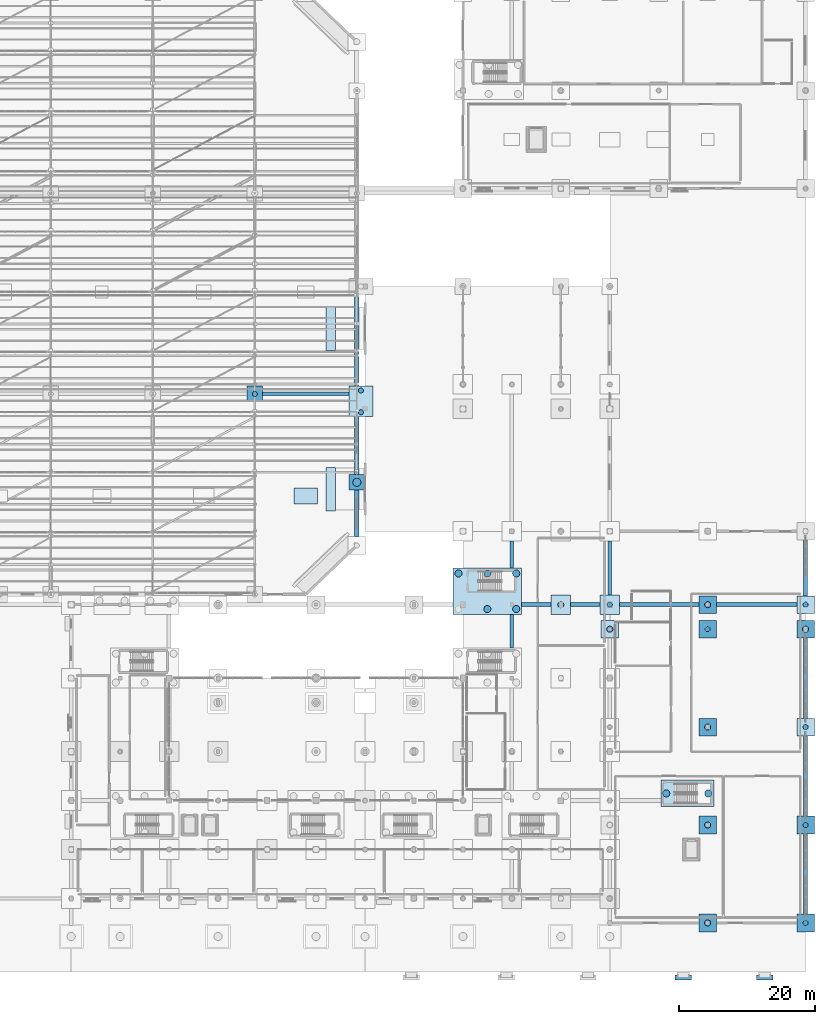
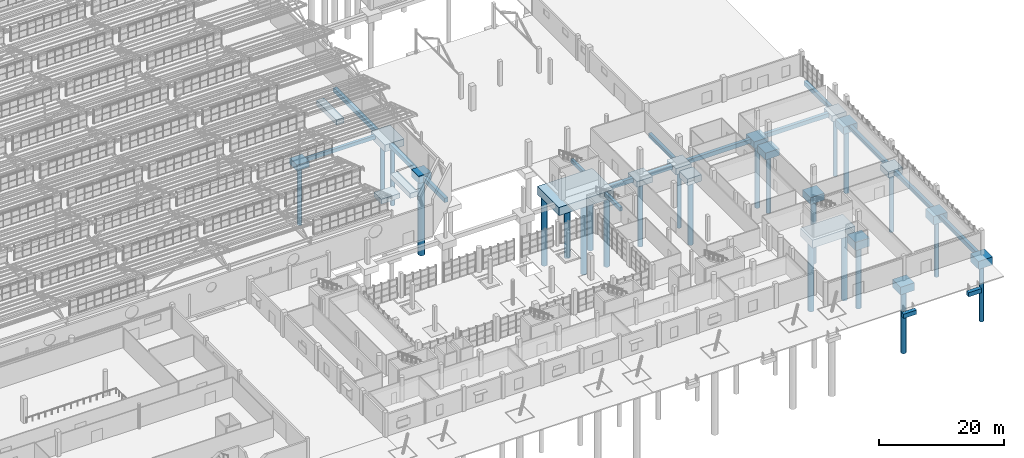
# One storey, part 8 of 285: 38 footings, 24 piles.
"""IFC4 building model written with IfcOpenShell, lengths in metres."""

from ifc_helpers import new_model, si_unit, direction, frame, origin, origin_2d, place, context, subcontext, project, spatial, polyline, circle, outline, extrude, material, material_profile, profile_set, type_object, element, save


model = new_model("IFC4")

# Units and contexts
model_context = context("Model", 3, precision=1e-05, world=origin(), true_north=direction((0.0, 1.0)))
body_context = subcontext(model_context, "Body", "Model", "MODEL_VIEW")
ifc_project = project(units=[si_unit("LENGTHUNIT", "METRE"), si_unit("AREAUNIT", "SQUARE_METRE"), si_unit("VOLUMEUNIT", "CUBIC_METRE"), si_unit("PLANEANGLEUNIT", "RADIAN"), si_unit("MASSUNIT", "GRAM", prefix="KILO")], contexts=[model_context])

# Site, building, storey
site_placement = place(None, origin())
site = spatial("IfcSite", under=ifc_project, at=site_placement, CompositionType="ELEMENT")
building_placement = place(site_placement, origin())
building = spatial("IfcBuilding", under=site, at=building_placement, Name="Solanera Park Tramway Depot", CompositionType="ELEMENT")
storey_placement = place(building_placement, origin())
storey = spatial("IfcBuildingStorey", under=building, at=storey_placement, Name="L00", CompositionType="ELEMENT", Elevation=0.0)

# Footings
ifc_material_1 = material(Name="Concrete N40 (C40/50)", Category="concrete")
footing_type_1 = type_object("IfcFootingType", Name="Bored Pile Cap PC-03 2900x2900x1100", PredefinedType="PILE_CAP", material=ifc_material_1)
footing_1_placement = place(storey_placement, frame((0.0, 0.0, -1.449951171875)))
element("IfcFooting", 1, at=footing_1_placement, inside=storey, type_object=footing_type_1, Name="Pile Cap PC-03 #110", PredefinedType="PILE_CAP", context=body_context, shape_type="SweptSolid", body=[
    extrude(outline(polyline([(181.449951171875, 52.550048828125), (181.449951171875, 55.449951171875), (178.550048828125, 55.449951171875), (178.550048828125, 52.550048828125), (181.449951171875, 52.550048828125)])), origin(), (0.0, 0.0, 1.0), 1.099853515625),
])
ifc_material_2 = material(Name="Concrete N40 (C40/50)", Category="concrete")
footing_type_2 = type_object("IfcFootingType", Name="Bored Pile Cap PC-04 3200x3200x1200", PredefinedType="PILE_CAP", material=ifc_material_2)
footing_2_placement = place(storey_placement, frame((0.0, 0.0, -1.550048828125)))
element("IfcFooting", 2, at=footing_2_placement, inside=storey, type_object=footing_type_2, Name="Pile Cap PC-04 #111", PredefinedType="PILE_CAP", context=body_context, shape_type="SweptSolid", body=[
    extrude(outline(polyline([(188.64990234375, 52.550048828125), (188.64990234375, 55.449951171875), (185.75, 55.449951171875), (185.75, 52.550048828125), (188.64990234375, 52.550048828125)])), origin(), (0.0, 0.0, 1.0), 1.199951171875),
])
ifc_material_3 = material(Name="Concrete N40 (C40/50)", Category="concrete")
footing_type_3 = type_object("IfcFootingType", Name="Bored Pile Cap PC-05 3500x3500x1300", PredefinedType="PILE_CAP", material=ifc_material_3)
footing_3_placement = place(storey_placement, frame((0.0, 0.0, -1.60009765625)))
element("IfcFooting", 3, at=footing_3_placement, inside=storey, type_object=footing_type_3, Name="Pile Cap PC-05 #076", PredefinedType="PILE_CAP", context=body_context, shape_type="SweptSolid", body=[
    extrude(outline(polyline([(202.89990234375, 34.699951171875), (202.89990234375, 37.300048828125), (200.300048828125, 37.300048828125), (200.300048828125, 34.699951171875), (202.89990234375, 34.699951171875)])), origin(), (0.0, 0.0, 1.0), 1.300048828125),
])
footing_4_placement = place(storey_placement, frame((0.0, 0.0, -1.60009765625)))
element("IfcFooting", 4, at=footing_4_placement, inside=storey, type_object=footing_type_3, Name="Pile Cap PC-05 #112", PredefinedType="PILE_CAP", context=body_context, shape_type="SweptSolid", body=[
    extrude(outline(polyline([(202.89990234375, 52.699951171875), (202.89990234375, 55.300048828125), (200.300048828125, 55.300048828125), (200.300048828125, 52.699951171875), (202.89990234375, 52.699951171875)])), origin(), (0.0, 0.0, 1.0), 1.300048828125),
])
ifc_material_4 = material(Name="Concrete N40 (C40/50)", Category="concrete")
footing_type_4 = type_object("IfcFootingType", Name="Bored Pile Cap PC-06 3800x2600x1150", PredefinedType="PILE_CAP", material=ifc_material_4)
footing_5_placement = place(storey_placement, frame((0.0, 0.0, -1.449951171875)))
element("IfcFooting", 5, at=footing_5_placement, inside=storey, type_object=footing_type_4, Name="Pile Cap PC-06 #077", PredefinedType="PILE_CAP", context=body_context, shape_type="SweptSolid", body=[
    extrude(outline(polyline([(217.300048828125, 34.699951171875), (217.300048828125, 37.300048828125), (214.699951171875, 37.300048828125), (214.699951171875, 34.699951171875), (217.300048828125, 34.699951171875)])), origin(), (0.0, 0.0, 1.0), 1.14990234375),
])
footing_6_placement = place(storey_placement, frame((0.0, 0.0, -1.449951171875)))
element("IfcFooting", 6, at=footing_6_placement, inside=storey, type_object=footing_type_4, Name="Pile Cap PC-06 #113", PredefinedType="PILE_CAP", context=body_context, shape_type="SweptSolid", body=[
    extrude(outline(polyline([(217.300048828125, 52.699951171875), (217.300048828125, 55.300048828125), (214.699951171875, 55.300048828125), (214.699951171875, 52.699951171875), (217.300048828125, 52.699951171875)])), origin(), (0.0, 0.0, 1.0), 1.14990234375),
])
footing_7_placement = place(storey_placement, frame((0.0, 0.0, -1.60009765625)))
element("IfcFooting", 7, at=footing_7_placement, inside=storey, type_object=footing_type_4, Name="Pile Cap PC-06 #149", PredefinedType="PILE_CAP", context=body_context, shape_type="SweptSolid", body=[
    extrude(outline(polyline([(136.14990234375, 83.85009765625), (136.14990234375, 86.14990234375), (133.85009765625, 86.14990234375), (133.85009765625, 83.85009765625), (136.14990234375, 83.85009765625)])), origin(), (0.0, 0.0, 1.0), 1.150146484375),
])
ifc_material_5 = material(Name="Concrete N40 (C40/50)", Category="concrete")
footing_type_5 = type_object("IfcFootingType", Name="Bored Pile Cap PC-07 4200x2900x1250", PredefinedType="PILE_CAP", material=ifc_material_5)
footing_8_placement = place(storey_placement, frame((0.0, 0.0, -1.60009765625)))
element("IfcFooting", 8, at=footing_8_placement, inside=storey, type_object=footing_type_5, Name="Pile Cap PC-07 #096", PredefinedType="PILE_CAP", context=body_context, shape_type="SweptSolid", body=[
    extrude(outline(polyline([(188.5, 49.10009765625), (188.5, 51.699951171875), (185.89990234375, 51.699951171875), (185.89990234375, 49.10009765625), (188.5, 49.10009765625)])), origin(), (0.0, 0.0, 1.0), 1.25),
])
ifc_material_6 = material(Name="Concrete N40 (C40/50)", Category="concrete")
footing_type_6 = type_object("IfcFootingType", Name="Bored Pile Cap PC-08 4600x3200x1350", PredefinedType="PILE_CAP", material=ifc_material_6)
footing_9_placement = place(storey_placement, frame((0.0, 0.0, -1.64990234375)))
element("IfcFooting", 9, at=footing_9_placement, inside=storey, type_object=footing_type_6, Name="Pile Cap PC-08 #097", PredefinedType="PILE_CAP", context=body_context, shape_type="SweptSolid", body=[
    extrude(outline(polyline([(202.89990234375, 49.10009765625), (202.89990234375, 51.699951171875), (200.300048828125, 51.699951171875), (200.300048828125, 49.10009765625), (202.89990234375, 49.10009765625)])), origin(), (0.0, 0.0, 1.0), 1.349853515625),
])
footing_10_placement = place(storey_placement, frame((0.0, 0.0, -1.800048828125)))
element("IfcFooting", 10, at=footing_10_placement, inside=storey, type_object=footing_type_6, Name="Pile Cap PC-08 #139", PredefinedType="PILE_CAP", context=body_context, shape_type="SweptSolid", body=[
    extrude(outline(polyline([(152.35009765625, 81.64990234375), (152.35009765625, 86.14990234375), (148.85009765625, 86.14990234375), (148.85009765625, 81.64990234375), (152.35009765625, 81.64990234375)])), origin(), (0.0, 0.0, 1.0), 1.35009765625),
])
ifc_material_7 = material(Name="Concrete N40 (C40/50)", Category="concrete")
footing_type_7 = type_object("IfcFootingType", Name="Bored Pile Cap PC-09 5200x3400x1400", PredefinedType="PILE_CAP", material=ifc_material_7)
footing_11_placement = place(storey_placement, frame((0.0, 0.0, -1.699951171875)))
element("IfcFooting", 11, at=footing_11_placement, inside=storey, type_object=footing_type_7, Name="Pile Cap PC-09 #098", PredefinedType="PILE_CAP", context=body_context, shape_type="SweptSolid", body=[
    extrude(outline(polyline([(217.300048828125, 49.10009765625), (217.300048828125, 51.699951171875), (214.699951171875, 51.699951171875), (214.699951171875, 49.10009765625), (217.300048828125, 49.10009765625)])), origin(), (0.0, 0.0, 1.0), 1.39990234375),
])
ifc_material_8 = material(Name="Concrete N40 (C40/50)", Category="concrete")
footing_type_8 = type_object("IfcFootingType", Name="Bored Pile Cap PC-10 5800x3800x1450", PredefinedType="PILE_CAP", material=ifc_material_8)
footing_12_placement = place(storey_placement, frame((0.0, 0.0, -1.449951171875)))
element("IfcFooting", 12, at=footing_12_placement, inside=storey, type_object=footing_type_8, Name="Pile Cap PC-10 #135", PredefinedType="PILE_CAP", context=body_context, shape_type="SweptSolid", body=[
    extrude(outline(polyline([(151.14990234375, 70.85009765625), (151.14990234375, 73.14990234375), (148.85009765625, 73.14990234375), (148.85009765625, 70.85009765625), (151.14990234375, 70.85009765625)])), origin(), (0.0, 0.0, 1.0), 1.449951171875),
])
ifc_material_9 = material(Name="Concrete N40 (C40/50)", Category="concrete")
footing_type_9 = type_object("IfcFootingType", Name="Bored Pile Cap PC-11 6500x4200x1500", PredefinedType="PILE_CAP", material=ifc_material_9)
footing_13_placement = place(storey_placement, frame((0.0, 0.0, -1.800048828125)))
element("IfcFooting", 13, at=footing_13_placement, inside=storey, type_object=footing_type_9, Name="Pile Cap PC-11 #010", PredefinedType="PILE_CAP", context=body_context, shape_type="SweptSolid", body=[
    extrude(outline(polyline([(202.89990234375, 5.89990234375), (202.89990234375, 8.5), (200.300048828125, 8.5), (200.300048828125, 5.89990234375), (202.89990234375, 5.89990234375)])), origin(), (0.0, 0.0, 1.0), 1.5),
])
ifc_material_10 = material(Name="Concrete N40 (C40/50)", Category="concrete")
footing_type_10 = type_object("IfcFootingType", Name="Bored Pile Cap PC-12 7400x4500x1550", PredefinedType="PILE_CAP", material=ifc_material_10)
footing_14_placement = place(storey_placement, frame((0.0, 0.0, -1.85009765625)))
element("IfcFooting", 14, at=footing_14_placement, inside=storey, type_object=footing_type_10, Name="Pile Cap PC-12 #011", PredefinedType="PILE_CAP", context=body_context, shape_type="SweptSolid", body=[
    extrude(outline(polyline([(217.300048828125, 5.89990234375), (217.300048828125, 8.5), (214.699951171875, 8.5), (214.699951171875, 5.89990234375), (217.300048828125, 5.89990234375)])), origin(), (0.0, 0.0, 1.0), 1.550048828125),
])
footing_15_placement = place(storey_placement, frame((0.0, 0.0, -1.85009765625)))
element("IfcFooting", 15, at=footing_15_placement, inside=storey, type_object=footing_type_10, Name="Pile Cap PC-12 #056", PredefinedType="PILE_CAP", context=body_context, shape_type="SweptSolid", body=[
    extrude(outline(polyline([(202.5, 24.300048828125), (202.5, 28.199951171875), (194.699951171875, 28.199951171875), (194.699951171875, 24.300048828125), (202.5, 24.300048828125)])), origin(), (0.0, 0.0, 1.0), 1.550048828125),
])
ifc_material_11 = material(Name="Concrete N40 (C40/50)", Category="concrete")
footing_type_11 = type_object("IfcFootingType", Name="Bored Pile Cap PC-13 8400x4800x1600", PredefinedType="PILE_CAP", material=ifc_material_11)
footing_16_placement = place(storey_placement, frame((0.0, 0.0, -1.89990234375)))
element("IfcFooting", 16, at=footing_16_placement, inside=storey, type_object=footing_type_11, Name="Pile Cap PC-13 #048", PredefinedType="PILE_CAP", context=body_context, shape_type="SweptSolid", body=[
    extrude(outline(polyline([(202.89990234375, 20.300048828125), (202.89990234375, 22.89990234375), (200.300048828125, 22.89990234375), (200.300048828125, 20.300048828125), (202.89990234375, 20.300048828125)])), origin(), (0.0, 0.0, 1.0), 1.599853515625),
])
ifc_material_12 = material(Name="Concrete N40 (C40/50)", Category="concrete")
footing_type_12 = type_object("IfcFootingType", Name="Bored Pile Cap PC-14 9600x5200x1600", PredefinedType="PILE_CAP", material=ifc_material_12)
footing_17_placement = place(storey_placement, frame((0.0, 0.0, -1.89990234375)))
element("IfcFooting", 17, at=footing_17_placement, inside=storey, type_object=footing_type_12, Name="Pile Cap PC-14 #049", PredefinedType="PILE_CAP", context=body_context, shape_type="SweptSolid", body=[
    extrude(outline(polyline([(217.300048828125, 20.300048828125), (217.300048828125, 22.89990234375), (214.699951171875, 22.89990234375), (214.699951171875, 20.300048828125), (217.300048828125, 20.300048828125)])), origin(), (0.0, 0.0, 1.0), 1.599853515625),
])
footing_18_placement = place(storey_placement, frame((0.0, 0.0, -1.949951171875)))
element("IfcFooting", 18, at=footing_18_placement, inside=storey, type_object=footing_type_12, Name="Pile Cap PC-14 #109", PredefinedType="PILE_CAP", context=body_context, shape_type="SweptSolid", body=[
    extrude(outline(polyline([(174.25, 52.550048828125), (174.25, 59.39990234375), (164.14990234375, 59.39990234375), (164.14990234375, 52.550048828125), (174.25, 52.550048828125)])), origin(), (0.0, 0.0, 1.0), 1.599853515625),
])
ifc_material_13 = material(Name="Concrete N40 (C40/50)", Category="concrete")
footing_type_13 = type_object("IfcFootingType", Name="Equipment Pad Footing PF-03 2400x1800x800", PredefinedType="PAD_FOOTING", material=ifc_material_13)
footing_19_placement = place(storey_placement, frame((0.0, 0.0, -0.860107421875)))
element("IfcFooting", 19, at=footing_19_placement, inside=storey, type_object=footing_type_13, Name="Ramp Toe Pad Footing RMP-P01", PredefinedType="PAD_FOOTING", context=body_context, shape_type="SweptSolid", body=[
    extrude(outline(polyline([(196.800048828125, -1.18994140625), (199.199951171875, -1.18994140625), (199.199951171875, -0.489990234375), (196.800048828125, -0.489990234375), (196.800048828125, -1.18994140625)])), origin(), (0.0, 0.0, 1.0), 0.820068359375),
])
footing_20_placement = place(storey_placement, frame((0.0, 0.0, -0.860107421875)))
element("IfcFooting", 20, at=footing_20_placement, inside=storey, type_object=footing_type_13, Name="Ramp Toe Pad Footing RMP-P02", PredefinedType="PAD_FOOTING", context=body_context, shape_type="SweptSolid", body=[
    extrude(outline(polyline([(208.800048828125, -1.18994140625), (211.199951171875, -1.18994140625), (211.199951171875, -0.489990234375), (208.800048828125, -0.489990234375), (208.800048828125, -1.18994140625)])), origin(), (0.0, 0.0, 1.0), 0.820068359375),
])
ifc_material_14 = material(Name="Concrete N40 (C40/50)", Category="concrete")
footing_type_14 = type_object("IfcFootingType", Name="Equipment Pad Footing PF-06 3600x2500x950", PredefinedType="PAD_FOOTING", material=ifc_material_14)
footing_21_placement = place(storey_placement, frame((0.0, 0.0, -1.300048828125)))
element("IfcFooting", 21, at=footing_21_placement, inside=storey, type_object=footing_type_14, Name="Vehicle Ramp Toe Pad Footing RMP-V01", PredefinedType="PAD_FOOTING", context=body_context, shape_type="SweptSolid", body=[
    extrude(outline(polyline([(145.5, 67.800048828125), (146.89990234375, 67.800048828125), (146.89990234375, 74.199951171875), (145.5, 74.199951171875), (145.5, 67.800048828125)])), origin(), (0.0, 0.0, 1.0), 0.969970703125),
])
footing_22_placement = place(storey_placement, frame((0.0, 0.0, -1.300048828125)))
element("IfcFooting", 22, at=footing_22_placement, inside=storey, type_object=footing_type_14, Name="Vehicle Ramp Toe Pad Footing RMP-V02", PredefinedType="PAD_FOOTING", context=body_context, shape_type="SweptSolid", body=[
    extrude(outline(polyline([(145.5, 91.39990234375), (146.89990234375, 91.39990234375), (146.89990234375, 97.800048828125), (145.5, 97.800048828125), (145.5, 91.39990234375)])), origin(), (0.0, 0.0, 1.0), 0.969970703125),
])
ifc_material_15 = material(Name="Concrete N40 (C40/50)", Category="concrete")
footing_type_15 = type_object("IfcFootingType", Name="Equipment Pad Footing PF-10 3450x2350x920", PredefinedType="PAD_FOOTING", material=ifc_material_15)
footing_23_placement = place(storey_placement, frame((0.0, 0.0, -1.3701171875)))
element("IfcFooting", 23, at=footing_23_placement, inside=storey, type_object=footing_type_15, Name="Equipment Pad Footing PF-10 #010", PredefinedType="PAD_FOOTING", context=body_context, shape_type="SweptSolid", body=[
    extrude(outline(polyline([(144.22509765625, 68.824951171875), (144.22509765625, 71.175048828125), (140.77490234375, 71.175048828125), (140.77490234375, 68.824951171875), (144.22509765625, 68.824951171875)])), origin(), (0.0, 0.0, 1.0), 0.920166015625),
])
ifc_material_16 = material(Name="Concrete N40 (C40/50)", Category="concrete")
footing_type_16 = type_object("IfcFootingType", Name="Ground Tie Beam GB-01 500x700", PredefinedType="FOOTING_BEAM", material=ifc_material_16)
footing_24_placement = place(storey_placement, frame((0.0, 0.0, -1.14990234375)))
element("IfcFooting", 24, at=footing_24_placement, inside=storey, type_object=footing_type_16, Name="Ground Tie Beam GB-01 #064", PredefinedType="FOOTING_BEAM", context=body_context, shape_type="SweptSolid", body=[
    extrude(outline(polyline([(148.85009765625, 84.75), (148.85009765625, 85.25), (136.14990234375, 85.25), (136.14990234375, 84.75), (148.85009765625, 84.75)])), origin(), (0.0, 0.0, 1.0), 0.699951171875),
])
footing_25_placement = place(storey_placement, frame((0.0, 0.0, -1.050048828125)))
element("IfcFooting", 25, at=footing_25_placement, inside=storey, type_object=footing_type_16, Name="Ground Tie Beam GB-01 #137", PredefinedType="FOOTING_BEAM", context=body_context, shape_type="SweptSolid", body=[
    extrude(outline(polyline([(173.050048828125, 47.60009765625), (173.050048828125, 52.550048828125), (172.550048828125, 52.550048828125), (172.550048828125, 47.60009765625), (173.050048828125, 47.60009765625)])), origin(), (0.0, 0.0, 1.0), 0.699951171875),
])
footing_26_placement = place(storey_placement, frame((0.0, 0.0, -1.050048828125)))
element("IfcFooting", 26, at=footing_26_placement, inside=storey, type_object=footing_type_16, Name="Ground Tie Beam GB-01 #138", PredefinedType="FOOTING_BEAM", context=body_context, shape_type="SweptSolid", body=[
    extrude(outline(polyline([(173.050048828125, 59.39990234375), (173.050048828125, 63.35009765625), (172.550048828125, 63.35009765625), (172.550048828125, 59.39990234375), (173.050048828125, 59.39990234375)])), origin(), (0.0, 0.0, 1.0), 0.699951171875),
])
ifc_material_17 = material(Name="Concrete N40 (C40/50)", Category="concrete")
footing_type_17 = type_object("IfcFootingType", Name="Ground Tie Beam GB-02 550x750", PredefinedType="FOOTING_BEAM", material=ifc_material_17)
footing_27_placement = place(storey_placement, frame((0.0, 0.0, -1.10009765625)))
element("IfcFooting", 27, at=footing_27_placement, inside=storey, type_object=footing_type_17, Name="Ground Tie Beam GB-02 #146", PredefinedType="FOOTING_BEAM", context=body_context, shape_type="SweptSolid", body=[
    extrude(outline(polyline([(187.47509765625, 55.449951171875), (187.47509765625, 63.35009765625), (186.925048828125, 63.35009765625), (186.925048828125, 55.449951171875), (187.47509765625, 55.449951171875)])), origin(), (0.0, 0.0, 1.0), 0.75),
])
ifc_material_18 = material(Name="Concrete N40 (C40/50)", Category="concrete")
footing_type_18 = type_object("IfcFootingType", Name="Ground Tie Beam GB-03 600x800", PredefinedType="FOOTING_BEAM", material=ifc_material_18)
footing_28_placement = place(storey_placement, frame((0.0, 0.0, -1.14990234375)))
element("IfcFooting", 28, at=footing_28_placement, inside=storey, type_object=footing_type_18, Name="Ground Tie Beam GB-03 #040", PredefinedType="FOOTING_BEAM", context=body_context, shape_type="SweptSolid", body=[
    extrude(outline(polyline([(178.550048828125, 53.699951171875), (178.550048828125, 54.300048828125), (174.25, 54.300048828125), (174.25, 53.699951171875), (178.550048828125, 53.699951171875)])), origin(), (0.0, 0.0, 1.0), 0.7998046875),
])
footing_29_placement = place(storey_placement, frame((0.0, 0.0, -1.14990234375)))
element("IfcFooting", 29, at=footing_29_placement, inside=storey, type_object=footing_type_18, Name="Ground Tie Beam GB-03 #041", PredefinedType="FOOTING_BEAM", context=body_context, shape_type="SweptSolid", body=[
    extrude(outline(polyline([(185.75, 53.699951171875), (185.75, 54.300048828125), (181.449951171875, 54.300048828125), (181.449951171875, 53.699951171875), (185.75, 53.699951171875)])), origin(), (0.0, 0.0, 1.0), 0.7998046875),
])
footing_30_placement = place(storey_placement, frame((0.0, 0.0, -1.14990234375)))
element("IfcFooting", 30, at=footing_30_placement, inside=storey, type_object=footing_type_18, Name="Ground Tie Beam GB-03 #042", PredefinedType="FOOTING_BEAM", context=body_context, shape_type="SweptSolid", body=[
    extrude(outline(polyline([(200.300048828125, 53.699951171875), (200.300048828125, 54.300048828125), (188.64990234375, 54.300048828125), (188.64990234375, 53.699951171875), (200.300048828125, 53.699951171875)])), origin(), (0.0, 0.0, 1.0), 0.7998046875),
])
footing_31_placement = place(storey_placement, frame((0.0, 0.0, -1.10009765625)))
element("IfcFooting", 31, at=footing_31_placement, inside=storey, type_object=footing_type_18, Name="Ground Tie Beam GB-03 #043", PredefinedType="FOOTING_BEAM", context=body_context, shape_type="SweptSolid", body=[
    extrude(outline(polyline([(214.699951171875, 53.699951171875), (214.699951171875, 54.300048828125), (202.89990234375, 54.300048828125), (202.89990234375, 53.699951171875), (214.699951171875, 53.699951171875)])), origin(), (0.0, 0.0, 1.0), 0.800048828125),
])
footing_32_placement = place(storey_placement, frame((0.0, 0.0, -1.10009765625)))
element("IfcFooting", 32, at=footing_32_placement, inside=storey, type_object=footing_type_18, Name="Ground Tie Beam GB-03 #149", PredefinedType="FOOTING_BEAM", context=body_context, shape_type="SweptSolid", body=[
    extrude(outline(polyline([(216.300048828125, 8.5), (216.300048828125, 20.300048828125), (215.699951171875, 20.300048828125), (215.699951171875, 8.5), (216.300048828125, 8.5)])), origin(), (0.0, 0.0, 1.0), 0.800048828125),
])
footing_33_placement = place(storey_placement, frame((0.0, 0.0, -1.10009765625)))
element("IfcFooting", 33, at=footing_33_placement, inside=storey, type_object=footing_type_18, Name="Ground Tie Beam GB-03 #150", PredefinedType="FOOTING_BEAM", context=body_context, shape_type="SweptSolid", body=[
    extrude(outline(polyline([(216.300048828125, 22.89990234375), (216.300048828125, 34.699951171875), (215.699951171875, 34.699951171875), (215.699951171875, 22.89990234375), (216.300048828125, 22.89990234375)])), origin(), (0.0, 0.0, 1.0), 0.800048828125),
])
footing_34_placement = place(storey_placement, frame((0.0, 0.0, -1.10009765625)))
element("IfcFooting", 34, at=footing_34_placement, inside=storey, type_object=footing_type_18, Name="Ground Tie Beam GB-03 #151", PredefinedType="FOOTING_BEAM", context=body_context, shape_type="SweptSolid", body=[
    extrude(outline(polyline([(216.300048828125, 37.300048828125), (216.300048828125, 49.10009765625), (215.699951171875, 49.10009765625), (215.699951171875, 37.300048828125), (216.300048828125, 37.300048828125)])), origin(), (0.0, 0.0, 1.0), 0.800048828125),
])
footing_35_placement = place(storey_placement, frame((0.0, 0.0, -1.10009765625)))
element("IfcFooting", 35, at=footing_35_placement, inside=storey, type_object=footing_type_18, Name="Ground Tie Beam GB-03 #152", PredefinedType="FOOTING_BEAM", context=body_context, shape_type="SweptSolid", body=[
    extrude(outline(polyline([(216.300048828125, 55.300048828125), (216.300048828125, 63.5), (215.699951171875, 63.5), (215.699951171875, 55.300048828125), (216.300048828125, 55.300048828125)])), origin(), (0.0, 0.0, 1.0), 0.800048828125),
])
ifc_material_19 = material(Name="Concrete N40 (C40/50)", Category="concrete")
footing_type_19 = type_object("IfcFootingType", Name="Ground Tie Beam GB-04 650x850", PredefinedType="FOOTING_BEAM", material=ifc_material_19)
footing_36_placement = place(storey_placement, frame((0.0, 0.0, -1.300048828125)))
element("IfcFooting", 36, at=footing_36_placement, inside=storey, type_object=footing_type_19, Name="Ground Tie Beam GB-04 #128", PredefinedType="FOOTING_BEAM", context=body_context, shape_type="SweptSolid", body=[
    extrude(outline(polyline([(150.324951171875, 64.0), (150.324951171875, 70.85009765625), (149.675048828125, 70.85009765625), (149.675048828125, 64.0), (150.324951171875, 64.0)])), origin(), (0.0, 0.0, 1.0), 0.85009765625),
])
footing_37_placement = place(storey_placement, frame((0.0, 0.0, -1.300048828125)))
element("IfcFooting", 37, at=footing_37_placement, inside=storey, type_object=footing_type_19, Name="Ground Tie Beam GB-04 #129", PredefinedType="FOOTING_BEAM", context=body_context, shape_type="SweptSolid", body=[
    extrude(outline(polyline([(150.324951171875, 73.14990234375), (150.324951171875, 81.64990234375), (149.675048828125, 81.64990234375), (149.675048828125, 73.14990234375), (150.324951171875, 73.14990234375)])), origin(), (0.0, 0.0, 1.0), 0.85009765625),
])
footing_38_placement = place(storey_placement, frame((0.0, 0.0, -1.300048828125)))
element("IfcFooting", 38, at=footing_38_placement, inside=storey, type_object=footing_type_19, Name="Ground Tie Beam GB-04 #130", PredefinedType="FOOTING_BEAM", context=body_context, shape_type="SweptSolid", body=[
    extrude(outline(polyline([(150.324951171875, 86.14990234375), (150.324951171875, 99.64990234375), (149.675048828125, 99.64990234375), (149.675048828125, 86.14990234375), (150.324951171875, 86.14990234375)])), origin(), (0.0, 0.0, 1.0), 0.85009765625),
])

# Piles
ifc_material_20 = material(Name="Concrete N40 (C40/50)", Category="concrete")
ifc_material_profile_1 = material_profile(ifc_material_20, circle(Radius=0.52490234375, at=origin_2d()), Name="BORED PILE 1050")
ifc_profile_set_1 = profile_set([ifc_material_profile_1], Name="Concrete N40 (C40/50)")
pile_type_1 = type_object("IfcPileType", Name="Rock Socketed BORED PILE 1050", PredefinedType="BORED", material=ifc_profile_set_1)
for number, where, z_axis, x_axis, name in (
    (39, (195.5048828125, 26.25, -1.75), (0.0, 0.0, -1.0), (1.0, 0.0, 0.0), "Bored Pile BORED PILE 1050 #0082"),
    (40, (201.695068359375, 26.25, -1.75), (0.0, 0.0, -1.0), (1.0, 0.0, 0.0), "Bored Pile BORED PILE 1050 #0083"),
):
    element("IfcPile", number, at=place(storey_placement, frame(where, z_axis=z_axis, x_axis=x_axis)), inside=storey, type_object=pile_type_1, Name=name, PredefinedType="BORED", context=body_context, shape_type="SweptSolid", body=[
        extrude(circle(Radius=0.52490234375, at=origin_2d()), origin(), (0.0, 0.0, 1.0), 13.64990234375),
    ])
for number, where, z_axis, x_axis, name in (
    (41, (164.955078125, 58.594970703125, -1.85009765625), (0.0, 0.0, -1.0), (1.0, 0.0, 0.0), "Bored Pile BORED PILE 1050 #0149"),
    (42, (169.199951171875, 53.35498046875, -1.85009765625), (0.0, 0.0, -1.0), (1.0, 0.0, 0.0), "Bored Pile BORED PILE 1050 #0150"),
    (43, (169.199951171875, 58.594970703125, -1.85009765625), (0.0, 0.0, -1.0), (1.0, 0.0, 0.0), "Bored Pile BORED PILE 1050 #0151"),
    (44, (173.445068359375, 53.35498046875, -1.85009765625), (0.0, 0.0, -1.0), (1.0, 0.0, 0.0), "Bored Pile BORED PILE 1050 #0152"),
    (45, (173.445068359375, 58.594970703125, -1.85009765625), (0.0, 0.0, -1.0), (1.0, 0.0, 0.0), "Bored Pile BORED PILE 1050 #0153"),
):
    element("IfcPile", number, at=place(storey_placement, frame(where, z_axis=z_axis, x_axis=x_axis)), inside=storey, type_object=pile_type_1, Name=name, PredefinedType="BORED", context=body_context, shape_type="SweptSolid", body=[
        extrude(circle(Radius=0.52490234375, at=origin_2d()), origin(), (0.0, 0.0, 1.0), 13.550048828125),
    ])
ifc_material_21 = material(Name="Concrete N50 (C50/60)", Category="concrete")
ifc_material_profile_2 = material_profile(ifc_material_21, circle(Radius=0.60009765625, at=origin_2d()), Name="BORED PILE 1200")
ifc_profile_set_2 = profile_set([ifc_material_profile_2], Name="Concrete N50 (C50/60)")
pile_type_2 = type_object("IfcPileType", Name="Rock Socketed BORED PILE 1200", PredefinedType="BORED", material=ifc_profile_set_2)
pile_1_placement = place(storey_placement, frame((150.0, 72.0, -1.35009765625), z_axis=(0.0, 0.0, -1.0), x_axis=(1.0, 0.0, 0.0)))
element("IfcPile", 46, at=pile_1_placement, inside=storey, type_object=pile_type_2, Name="Bored Pile BORED PILE 1200 #0178", PredefinedType="BORED", context=body_context, shape_type="SweptSolid", body=[
    extrude(circle(Radius=0.60009765625, at=origin_2d()), origin(), (0.0, 0.0, 1.0), 14.85009765625),
])
ifc_material_22 = material(Name="Concrete N40 (C40/50)", Category="concrete")
ifc_material_profile_3 = material_profile(ifc_material_22, circle(Radius=0.375, at=origin_2d()), Name="BORED PILE 750")
ifc_profile_set_3 = profile_set([ifc_material_profile_3], Name="Concrete N40 (C40/50)")
pile_type_3 = type_object("IfcPileType", Name="Rock Socketed BORED PILE 750", PredefinedType="BORED", material=ifc_profile_set_3)
pile_2_placement = place(storey_placement, frame((216.0, 7.199951171875, -1.75), z_axis=(0.0, 0.0, -1.0), x_axis=(1.0, 0.0, 0.0)))
element("IfcPile", 47, at=pile_2_placement, inside=storey, type_object=pile_type_3, Name="Bored Pile BORED PILE 750 #0010", PredefinedType="BORED", context=body_context, shape_type="SweptSolid", body=[
    extrude(circle(Radius=0.375, at=origin_2d()), origin(), (0.0, 0.0, 1.0), 11.35009765625),
])
pile_3_placement = place(storey_placement, frame((216.0, 21.60009765625, -1.800048828125), z_axis=(0.0, 0.0, -1.0), x_axis=(1.0, 0.0, 0.0)))
element("IfcPile", 48, at=pile_3_placement, inside=storey, type_object=pile_type_3, Name="Bored Pile BORED PILE 750 #0075", PredefinedType="BORED", context=body_context, shape_type="SweptSolid", body=[
    extrude(circle(Radius=0.375, at=origin_2d()), origin(), (0.0, 0.0, 1.0), 11.300048828125),
])
pile_4_placement = place(storey_placement, frame((216.0, 36.0, -1.35009765625), z_axis=(0.0, 0.0, -1.0), x_axis=(1.0, 0.0, 0.0)))
element("IfcPile", 49, at=pile_4_placement, inside=storey, type_object=pile_type_3, Name="Bored Pile BORED PILE 750 #0104", PredefinedType="BORED", context=body_context, shape_type="SweptSolid", body=[
    extrude(circle(Radius=0.375, at=origin_2d()), origin(), (0.0, 0.0, 1.0), 11.75),
])
pile_5_placement = place(storey_placement, frame((201.60009765625, 50.39990234375, -1.550048828125), z_axis=(0.0, 0.0, -1.0), x_axis=(1.0, 0.0, 0.0)))
element("IfcPile", 50, at=pile_5_placement, inside=storey, type_object=pile_type_3, Name="Bored Pile BORED PILE 750 #0132", PredefinedType="BORED", context=body_context, shape_type="SweptSolid", body=[
    extrude(circle(Radius=0.375, at=origin_2d()), origin(), (0.0, 0.0, 1.0), 11.550048828125),
])
pile_6_placement = place(storey_placement, frame((187.199951171875, 54.0, -1.449951171875), z_axis=(0.0, 0.0, -1.0), x_axis=(1.0, 0.0, 0.0)))
element("IfcPile", 51, at=pile_6_placement, inside=storey, type_object=pile_type_3, Name="Bored Pile BORED PILE 750 #0155", PredefinedType="BORED", context=body_context, shape_type="SweptSolid", body=[
    extrude(circle(Radius=0.375, at=origin_2d()), origin(), (0.0, 0.0, 1.0), 11.64990234375),
])
pile_7_placement = place(storey_placement, frame((216.0, 54.0, -1.35009765625), z_axis=(0.0, 0.0, -1.0), x_axis=(1.0, 0.0, 0.0)))
element("IfcPile", 52, at=pile_7_placement, inside=storey, type_object=pile_type_3, Name="Bored Pile BORED PILE 750 #0157", PredefinedType="BORED", context=body_context, shape_type="SweptSolid", body=[
    extrude(circle(Radius=0.375, at=origin_2d()), origin(), (0.0, 0.0, 1.0), 11.75),
])
for number, where, z_axis, x_axis, name in (
    (53, (150.60009765625, 82.304931640625, -1.699951171875), (0.0, 0.0, -1.0), (1.0, 0.0, 0.0), "Bored Pile BORED PILE 750 #0182"),
    (54, (150.60009765625, 85.4951171875, -1.699951171875), (0.0, 0.0, -1.0), (1.0, 0.0, 0.0), "Bored Pile BORED PILE 750 #0183"),
):
    element("IfcPile", number, at=place(storey_placement, frame(where, z_axis=z_axis, x_axis=x_axis)), inside=storey, type_object=pile_type_3, Name=name, PredefinedType="BORED", context=body_context, shape_type="SweptSolid", body=[
        extrude(circle(Radius=0.375, at=origin_2d()), origin(), (0.0, 0.0, 1.0), 11.39990234375),
    ])
pile_8_placement = place(storey_placement, frame((135.0, 85.0, -1.5), z_axis=(0.0, 0.0, -1.0), x_axis=(1.0, 0.0, 0.0)))
element("IfcPile", 55, at=pile_8_placement, inside=storey, type_object=pile_type_3, Name="Bored Pile BORED PILE 750 #0193", PredefinedType="BORED", context=body_context, shape_type="SweptSolid", body=[
    extrude(circle(Radius=0.375, at=origin_2d()), origin(), (0.0, 0.0, 1.0), 11.60009765625),
])
ifc_material_23 = material(Name="Concrete N40 (C40/50)", Category="concrete")
ifc_material_profile_4 = material_profile(ifc_material_23, circle(Radius=0.449951171875, at=origin_2d()), Name="BORED PILE 900")
ifc_profile_set_4 = profile_set([ifc_material_profile_4], Name="Concrete N40 (C40/50)")
pile_type_4 = type_object("IfcPileType", Name="Rock Socketed BORED PILE 900", PredefinedType="BORED", material=ifc_profile_set_4)
pile_9_placement = place(storey_placement, frame((201.60009765625, 7.199951171875, -1.699951171875), z_axis=(0.0, 0.0, -1.0), x_axis=(1.0, 0.0, 0.0)))
element("IfcPile", 56, at=pile_9_placement, inside=storey, type_object=pile_type_4, Name="Bored Pile BORED PILE 900 #0009", PredefinedType="BORED", context=body_context, shape_type="SweptSolid", body=[
    extrude(circle(Radius=0.449951171875, at=origin_2d()), origin(), (0.0, 0.0, 1.0), 12.5),
])
pile_10_placement = place(storey_placement, frame((201.60009765625, 21.60009765625, -1.800048828125), z_axis=(0.0, 0.0, -1.0), x_axis=(1.0, 0.0, 0.0)))
element("IfcPile", 57, at=pile_10_placement, inside=storey, type_object=pile_type_4, Name="Bored Pile BORED PILE 900 #0074", PredefinedType="BORED", context=body_context, shape_type="SweptSolid", body=[
    extrude(circle(Radius=0.449951171875, at=origin_2d()), origin(), (0.0, 0.0, 1.0), 12.39990234375),
])
for number, where, z_axis, x_axis, name in (
    (58, (201.60009765625, 36.0, -1.5), (0.0, 0.0, -1.0), (1.0, 0.0, 0.0), "Bored Pile BORED PILE 900 #0103"),
    (59, (187.199951171875, 50.39990234375, -1.5), (0.0, 0.0, -1.0), (1.0, 0.0, 0.0), "Bored Pile BORED PILE 900 #0131"),
):
    element("IfcPile", number, at=place(storey_placement, frame(where, z_axis=z_axis, x_axis=x_axis)), inside=storey, type_object=pile_type_4, Name=name, PredefinedType="BORED", context=body_context, shape_type="SweptSolid", body=[
        extrude(circle(Radius=0.449951171875, at=origin_2d()), origin(), (0.0, 0.0, 1.0), 12.699951171875),
    ])
pile_11_placement = place(storey_placement, frame((216.0, 50.39990234375, -1.60009765625), z_axis=(0.0, 0.0, -1.0), x_axis=(1.0, 0.0, 0.0)))
element("IfcPile", 60, at=pile_11_placement, inside=storey, type_object=pile_type_4, Name="Bored Pile BORED PILE 900 #0133", PredefinedType="BORED", context=body_context, shape_type="SweptSolid", body=[
    extrude(circle(Radius=0.449951171875, at=origin_2d()), origin(), (0.0, 0.0, 1.0), 12.60009765625),
])
pile_12_placement = place(storey_placement, frame((180.0, 54.0, -1.35009765625), z_axis=(0.0, 0.0, -1.0), x_axis=(1.0, 0.0, 0.0)))
element("IfcPile", 61, at=pile_12_placement, inside=storey, type_object=pile_type_4, Name="Bored Pile BORED PILE 900 #0154", PredefinedType="BORED", context=body_context, shape_type="SweptSolid", body=[
    extrude(circle(Radius=0.449951171875, at=origin_2d()), origin(), (0.0, 0.0, 1.0), 12.85009765625),
])
pile_13_placement = place(storey_placement, frame((201.60009765625, 54.0, -1.5), z_axis=(0.0, 0.0, -1.0), x_axis=(1.0, 0.0, 0.0)))
element("IfcPile", 62, at=pile_13_placement, inside=storey, type_object=pile_type_4, Name="Bored Pile BORED PILE 900 #0156", PredefinedType="BORED", context=body_context, shape_type="SweptSolid", body=[
    extrude(circle(Radius=0.449951171875, at=origin_2d()), origin(), (0.0, 0.0, 1.0), 12.699951171875),
])

save(model, "model.ifc")
